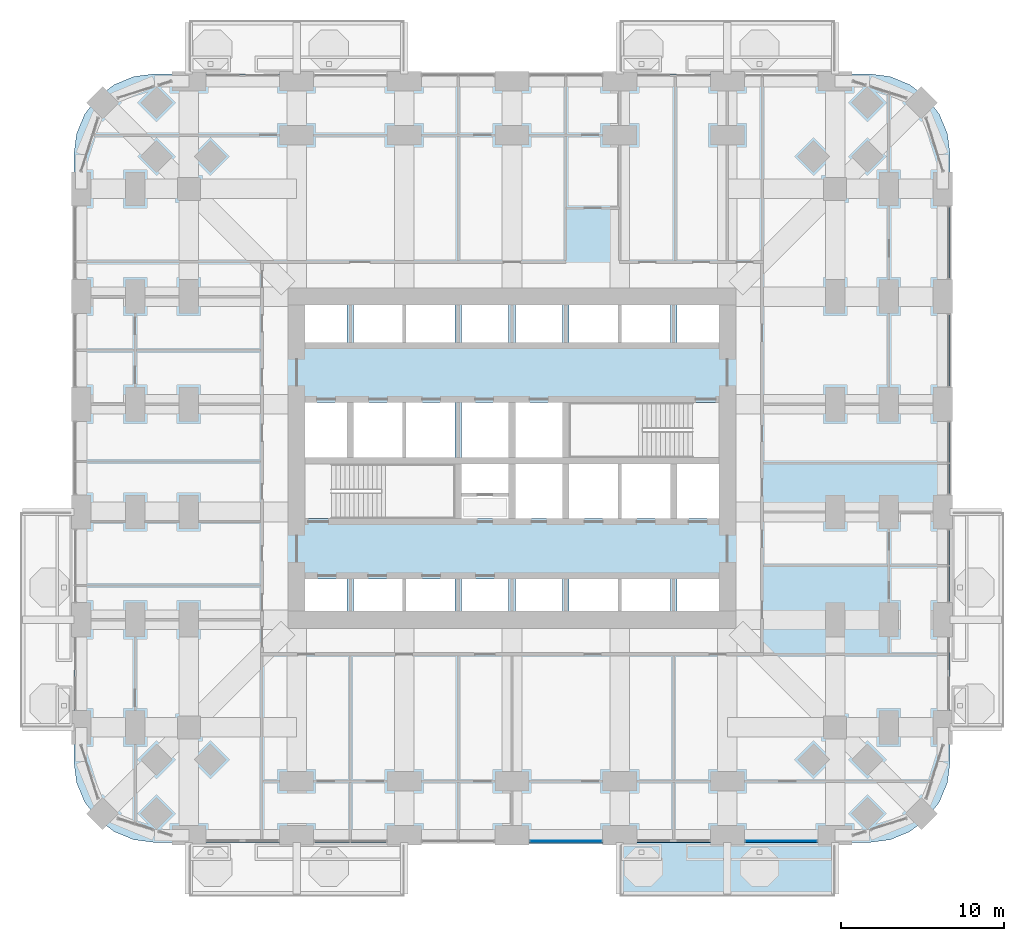
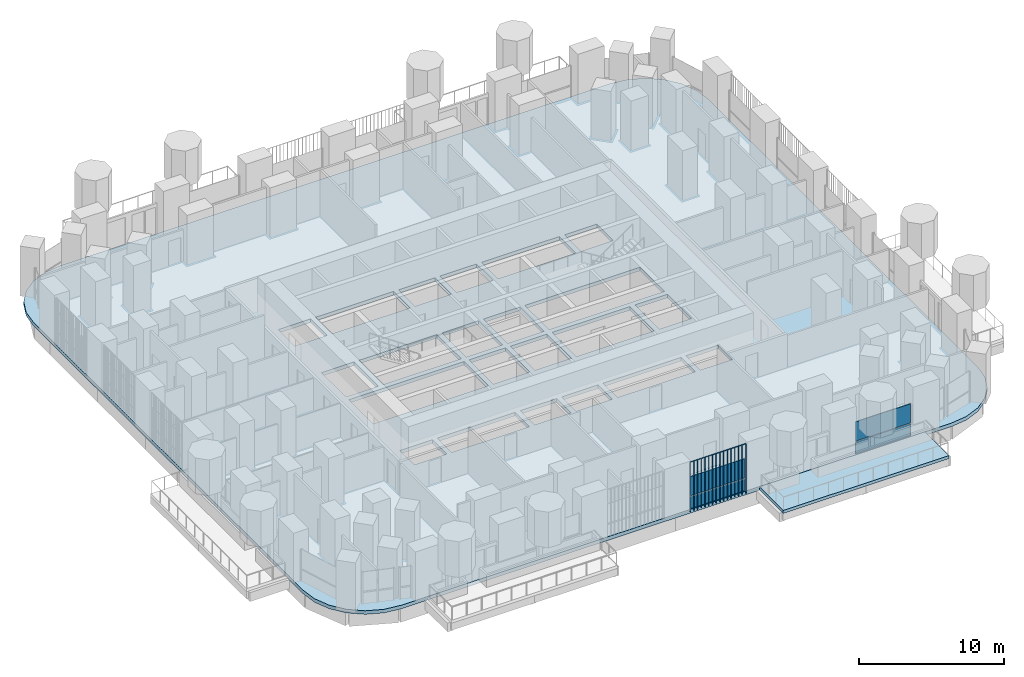
# One storey, part 13 of 27: 5 plates, 2 slabs, 2 elements without a shape of their own.
"""IFC4 building model written with IfcOpenShell, lengths in metres."""

from ifc_helpers import new_model, si_unit, direction, frame, origin, origin_2d, place, context, subcontext, project, spatial, polyline, rectangle, outline, extrude, material, layer, layer_set, type_object, element, aggregate, save


model = new_model("IFC4")

# Units and contexts
model_context = context("Model", 3, precision=1e-05, world=origin(), true_north=direction((0.0, 1.0)))
body_context = subcontext(model_context, "Body", "Model", "MODEL_VIEW")
ifc_project = project(units=[si_unit("LENGTHUNIT", "METRE"), si_unit("AREAUNIT", "SQUARE_METRE"), si_unit("VOLUMEUNIT", "CUBIC_METRE"), si_unit("PLANEANGLEUNIT", "RADIAN"), si_unit("MASSUNIT", "GRAM", prefix="KILO")], contexts=[model_context])

# Site, building, storey
site_placement = place(None, origin())
site = spatial("IfcSite", under=ifc_project, at=site_placement, CompositionType="ELEMENT")
building_placement = place(site_placement, origin())
building = spatial("IfcBuilding", under=site, at=building_placement, Name="Cobogo Forest Laboratory Tower", CompositionType="ELEMENT")
storey_placement = place(building_placement, frame((0.0, 0.0, 38.10009765625)))
storey = spatial("IfcBuildingStorey", under=building, at=storey_placement, Name="L08", CompositionType="ELEMENT", Elevation=38.10009765625)

# Slabs
ifc_material_1 = material(Name="Concrete HA-40 (C40/50)", Category="concrete")
ifc_layer_1 = layer(ifc_material_1, 0.25)
ifc_layer_set_1 = layer_set([ifc_layer_1], Name="Balcony slab 250")
slab_type_1 = type_object("IfcSlabType", Name="Balcony slab 250", PredefinedType="FLOOR", material=ifc_layer_set_1)
slab_1_placement = place(storey_placement, frame((0.0, 0.0, -0.25)))
element("IfcSlab", 1, at=slab_1_placement, inside=storey, type_object=slab_type_1, Name="Balcony BAL-S2 L08", PredefinedType="FLOOR", context=body_context, shape_type="SweptSolid", body=[
    extrude(outline(polyline([(33.0, -3.75), (46.199951171875, -3.75), (46.199951171875, -0.449951171875), (33.0, -0.449951171875), (33.0, -3.75)])), origin(), (0.0, 0.0, 1.0), 0.25),
])
ifc_layer_2 = layer(ifc_material_1, 0.300048828125)
ifc_layer_set_2 = layer_set([ifc_layer_2], Name="Floor slab 300")
slab_type_2 = type_object("IfcSlabType", Name="Floor slab 300", PredefinedType="FLOOR", material=ifc_layer_set_2)
slab_2_placement = place(storey_placement, frame((0.0, 0.0, -0.300048828125)))
element("IfcSlab", 2, at=slab_2_placement, inside=storey, type_object=slab_type_2, Name="L08 floor slab", PredefinedType="FLOOR", context=body_context, shape_type="SweptSolid", body=[
    extrude(outline(polyline([(48.300048828125, -0.449951171875), (49.5810546875, -0.28125), (50.77490234375, 0.213134765625), (51.80029296875, 0.999755859375), (52.5869140625, 2.02490234375), (53.081298828125, 3.21875), (53.25, 4.5), (53.25, 41.699951171875), (53.081298828125, 42.981201171875), (52.5869140625, 44.175048828125), (51.80029296875, 45.2001953125), (50.77490234375, 45.98681640625), (49.5810546875, 46.4814453125), (48.300048828125, 46.64990234375), (4.5, 46.64990234375), (3.21875, 46.4814453125), (2.02490234375, 45.98681640625), (0.999755859375, 45.2001953125), (0.213134765625, 44.175048828125), (-0.28125, 42.981201171875), (-0.449951171875, 41.699951171875), (-0.449951171875, 4.5), (-0.28125, 3.21875), (0.213134765625, 2.02490234375), (0.999755859375, 0.999755859375), (2.02490234375, 0.213134765625), (3.21875, -0.28125), (4.5, -0.449951171875), (48.300048828125, -0.449951171875)]), holes=[polyline([(16.300048828125, 13.72509765625), (13.72509765625, 13.72509765625), (13.72509765625, 15.699951171875), (16.300048828125, 15.699951171875), (16.300048828125, 13.72509765625)]), polyline([(22.89990234375, 15.699951171875), (22.89990234375, 13.72509765625), (16.699951171875, 13.72509765625), (16.699951171875, 15.699951171875), (22.89990234375, 15.699951171875)]), polyline([(23.300048828125, 13.72509765625), (23.300048828125, 15.699951171875), (26.199951171875, 15.699951171875), (26.199951171875, 13.72509765625), (23.300048828125, 13.72509765625)]), polyline([(29.5, 13.72509765625), (26.60009765625, 13.72509765625), (26.60009765625, 15.699951171875), (29.5, 15.699951171875), (29.5, 13.72509765625)]), polyline([(36.10009765625, 15.699951171875), (36.10009765625, 13.72509765625), (29.89990234375, 13.72509765625), (29.89990234375, 15.699951171875), (36.10009765625, 15.699951171875)]), polyline([(36.5, 13.72509765625), (36.5, 15.699951171875), (39.074951171875, 15.699951171875), (39.074951171875, 13.72509765625), (36.5, 13.72509765625)]), polyline([(13.72509765625, 19.39990234375), (13.72509765625, 22.75), (22.89990234375, 22.75), (22.89990234375, 19.39990234375), (13.72509765625, 19.39990234375)]), polyline([(23.300048828125, 19.39990234375), (23.300048828125, 22.75), (26.199951171875, 22.75), (26.199951171875, 19.39990234375), (23.300048828125, 19.39990234375)]), polyline([(26.60009765625, 19.39990234375), (26.60009765625, 22.75), (29.5, 22.75), (29.5, 19.39990234375), (26.60009765625, 19.39990234375)]), polyline([(36.10009765625, 22.75), (36.10009765625, 19.39990234375), (29.89990234375, 19.39990234375), (29.89990234375, 22.75), (36.10009765625, 22.75)]), polyline([(39.074951171875, 19.39990234375), (36.5, 19.39990234375), (36.5, 22.75), (39.074951171875, 22.75), (39.074951171875, 19.39990234375)]), polyline([(13.72509765625, 23.14990234375), (13.72509765625, 26.5), (16.300048828125, 26.5), (16.300048828125, 23.14990234375), (13.72509765625, 23.14990234375)]), polyline([(22.89990234375, 26.5), (22.89990234375, 23.14990234375), (16.699951171875, 23.14990234375), (16.699951171875, 26.5), (22.89990234375, 26.5)]), polyline([(23.300048828125, 23.14990234375), (23.300048828125, 26.5), (26.199951171875, 26.5), (26.199951171875, 23.14990234375), (23.300048828125, 23.14990234375)]), polyline([(26.60009765625, 23.14990234375), (26.60009765625, 26.5), (29.5, 26.5), (29.5, 23.14990234375), (26.60009765625, 23.14990234375)]), polyline([(29.89990234375, 23.14990234375), (29.89990234375, 26.5), (39.074951171875, 26.5), (39.074951171875, 23.14990234375), (29.89990234375, 23.14990234375)]), polyline([(13.72509765625, 30.199951171875), (13.72509765625, 32.47509765625), (16.300048828125, 32.47509765625), (16.300048828125, 30.199951171875), (13.72509765625, 30.199951171875)]), polyline([(22.89990234375, 32.47509765625), (22.89990234375, 30.199951171875), (16.699951171875, 30.199951171875), (16.699951171875, 32.47509765625), (22.89990234375, 32.47509765625)]), polyline([(23.300048828125, 30.199951171875), (23.300048828125, 32.47509765625), (26.199951171875, 32.47509765625), (26.199951171875, 30.199951171875), (23.300048828125, 30.199951171875)]), polyline([(26.60009765625, 30.199951171875), (26.60009765625, 32.47509765625), (29.5, 32.47509765625), (29.5, 30.199951171875), (26.60009765625, 30.199951171875)]), polyline([(36.10009765625, 32.47509765625), (36.10009765625, 30.199951171875), (29.89990234375, 30.199951171875), (29.89990234375, 32.47509765625), (36.10009765625, 32.47509765625)]), polyline([(36.5, 30.199951171875), (36.5, 32.47509765625), (39.074951171875, 32.47509765625), (39.074951171875, 30.199951171875), (36.5, 30.199951171875)])]), origin(), (0.0, 0.0, 1.0), 0.300048828125),
])

# Curtain wall, plates
ifc_material_2 = material(Name="Aluminium curtain wall", Category="aluminium")
curtain_wall_type = type_object("IfcCurtainWallType", Name="CW-1 unitised curtain wall, clear glazing, laboratory floors zones A and B", PredefinedType="USERDEFINED", material=ifc_material_2)
curtain_wall_1_placement = place(storey_placement, origin())
curtain_wall_1 = element("IfcCurtainWall", 3, at=curtain_wall_1_placement, inside=storey, type_object=curtain_wall_type, Name="Curtain wall 04 L08", ObjectType="UNITISED CURTAIN WALL", PredefinedType="USERDEFINED")
ifc_material_3 = material(Name="Clear insulated glass", Category="glass")
ifc_layer_3 = layer(ifc_material_3, 0.028076171875)
ifc_layer_set_3 = layer_set([ifc_layer_3], Name="GP-1 clear insulated glass unit 28")
plate_type_1 = type_object("IfcPlateType", Name="GP-1 clear insulated glass unit 28", PredefinedType="CURTAIN_PANEL", material=ifc_layer_set_3)
plate_1_placement = place(storey_placement, frame((29.699951171875, -0.35009765625, 0.0), z_axis=(0.0, 0.0, 1.0), x_axis=(1.0, 0.0, 0.0)))
plate_1 = element("IfcPlate", 4, at=plate_1_placement, type_object=plate_type_1, Name="CW-1 panel 1.1", PredefinedType="CURTAIN_PANEL", context=body_context, shape_type="SweptSolid", body=[
    extrude(rectangle(XDim=4.3798828125, YDim=0.028076171875, at=origin_2d()), origin(), (0.0, 0.0, 1.0), 1.02001953125),
])
plate_2_placement = place(storey_placement, frame((29.699951171875, -0.35009765625, 1.079833984375), z_axis=(0.0, 0.0, 1.0), x_axis=(1.0, 0.0, 0.0)))
plate_2 = element("IfcPlate", 5, at=plate_2_placement, type_object=plate_type_1, Name="CW-1 panel 1.2", PredefinedType="CURTAIN_PANEL", context=body_context, shape_type="SweptSolid", body=[
    extrude(rectangle(XDim=4.3798828125, YDim=0.028076171875, at=origin_2d()), origin(), (0.0, 0.0, 1.0), 1.6201171875),
])
aggregate(curtain_wall_1, [plate_1, plate_2])

curtain_wall_2_placement = place(storey_placement, origin())
curtain_wall_2 = element("IfcCurtainWall", 6, at=curtain_wall_2_placement, inside=storey, type_object=curtain_wall_type, Name="Curtain wall 06 L08", ObjectType="UNITISED CURTAIN WALL", PredefinedType="USERDEFINED")
plate_3_placement = place(storey_placement, frame((42.89990234375, -0.35009765625, 0.0), z_axis=(0.0, 0.0, 1.0), x_axis=(1.0, 0.0, 0.0)))
plate_3 = element("IfcPlate", 7, at=plate_3_placement, type_object=plate_type_1, Name="CW-1 panel 1.1", PredefinedType="CURTAIN_PANEL", context=body_context, shape_type="SweptSolid", body=[
    extrude(rectangle(XDim=4.3798828125, YDim=0.028076171875, at=origin_2d()), origin(), (0.0, 0.0, 1.0), 1.02001953125),
])
plate_4_placement = place(storey_placement, frame((42.89990234375, -0.35009765625, 1.079833984375), z_axis=(0.0, 0.0, 1.0), x_axis=(1.0, 0.0, 0.0)))
plate_4 = element("IfcPlate", 8, at=plate_4_placement, type_object=plate_type_1, Name="CW-1 panel 1.2", PredefinedType="CURTAIN_PANEL", context=body_context, shape_type="SweptSolid", body=[
    extrude(rectangle(XDim=4.3798828125, YDim=0.028076171875, at=origin_2d()), origin(), (0.0, 0.0, 1.0), 1.6201171875),
])
aggregate(curtain_wall_2, [plate_3, plate_4])

# Plate
ifc_material_4 = material(Name="Terracotta", Category="masonry")
plate_type_2 = type_object("IfcPlateType", Name="TB1 terracotta baguette screen", PredefinedType="USERDEFINED", material=ifc_material_4)
plate_5_placement = place(storey_placement, frame((27.481201171875, -0.477783203125, -0.150146484375)))
element("IfcPlate", 9, at=plate_5_placement, inside=storey, type_object=plate_type_2, Name="Baguette screen S4 L08", ObjectType="BAGUETTE SCREEN", PredefinedType="USERDEFINED", context=body_context, shape_type="SweptSolid", body=[
    extrude(outline(polyline([(0.02880859375, 0.011962890625), (0.011962890625, 0.02880859375), (-0.011962890625, 0.02880859375), (-0.02880859375, 0.011962890625), (-0.02880859375, -0.011962890625), (-0.011962890625, -0.02880859375), (0.011962890625, -0.02880859375), (0.02880859375, -0.011962890625), (0.02880859375, 0.011962890625)])), frame((0.0, 0.0, 4.168701171875), z_axis=(1.0, 0.0, 0.0), x_axis=(0.0, 1.0, 0.0)), (0.0, 0.0, 1.0), 4.4375),
    extrude(outline(polyline([(0.02880859375, 0.011962890625), (0.011962890625, 0.02880859375), (-0.011962890625, 0.02880859375), (-0.02880859375, 0.011962890625), (-0.02880859375, -0.011962890625), (-0.011962890625, -0.02880859375), (0.011962890625, -0.02880859375), (0.02880859375, -0.011962890625), (0.02880859375, 0.011962890625)])), origin(), (0.0, 0.0, 1.0), 4.137451171875),
    extrude(outline(polyline([(0.02880859375, 0.011962890625), (0.011962890625, 0.02880859375), (-0.011962890625, 0.02880859375), (-0.02880859375, 0.011962890625), (-0.02880859375, -0.011962890625), (-0.011962890625, -0.02880859375), (0.011962890625, -0.02880859375), (0.02880859375, -0.011962890625), (0.02880859375, 0.011962890625)])), frame((0.2958984375, 0.0, 0.0)), (0.0, 0.0, 1.0), 4.137451171875),
    extrude(outline(polyline([(0.02880859375, 0.011962890625), (0.011962890625, 0.02880859375), (-0.011962890625, 0.02880859375), (-0.02880859375, 0.011962890625), (-0.02880859375, -0.011962890625), (-0.011962890625, -0.02880859375), (0.011962890625, -0.02880859375), (0.02880859375, -0.011962890625), (0.02880859375, 0.011962890625)])), frame((0.591552734375, 0.0, 0.0)), (0.0, 0.0, 1.0), 4.137451171875),
    extrude(outline(polyline([(0.02880859375, 0.011962890625), (0.011962890625, 0.02880859375), (-0.011962890625, 0.02880859375), (-0.02880859375, 0.011962890625), (-0.02880859375, -0.011962890625), (-0.011962890625, -0.02880859375), (0.011962890625, -0.02880859375), (0.02880859375, -0.011962890625), (0.02880859375, 0.011962890625)])), frame((0.887451171875, 0.0, 0.0)), (0.0, 0.0, 1.0), 4.137451171875),
    extrude(outline(polyline([(0.02880859375, 0.011962890625), (0.011962890625, 0.02880859375), (-0.011962890625, 0.02880859375), (-0.02880859375, 0.011962890625), (-0.02880859375, -0.011962890625), (-0.011962890625, -0.02880859375), (0.011962890625, -0.02880859375), (0.02880859375, -0.011962890625), (0.02880859375, 0.011962890625)])), frame((1.183349609375, 0.0, 0.0)), (0.0, 0.0, 1.0), 4.137451171875),
    extrude(outline(polyline([(0.02880859375, 0.011962890625), (0.011962890625, 0.02880859375), (-0.011962890625, 0.02880859375), (-0.02880859375, 0.011962890625), (-0.02880859375, -0.011962890625), (-0.011962890625, -0.02880859375), (0.011962890625, -0.02880859375), (0.02880859375, -0.011962890625), (0.02880859375, 0.011962890625)])), frame((1.479248046875, 0.0, 0.0)), (0.0, 0.0, 1.0), 4.137451171875),
    extrude(outline(polyline([(0.02880859375, 0.011962890625), (0.011962890625, 0.02880859375), (-0.011962890625, 0.02880859375), (-0.02880859375, 0.011962890625), (-0.02880859375, -0.011962890625), (-0.011962890625, -0.02880859375), (0.011962890625, -0.02880859375), (0.02880859375, -0.011962890625), (0.02880859375, 0.011962890625)])), frame((1.77490234375, 0.0, 0.0)), (0.0, 0.0, 1.0), 4.137451171875),
    extrude(outline(polyline([(0.02880859375, 0.011962890625), (0.011962890625, 0.02880859375), (-0.011962890625, 0.02880859375), (-0.02880859375, 0.011962890625), (-0.02880859375, -0.011962890625), (-0.011962890625, -0.02880859375), (0.011962890625, -0.02880859375), (0.02880859375, -0.011962890625), (0.02880859375, 0.011962890625)])), frame((2.07080078125, 0.0, 0.0)), (0.0, 0.0, 1.0), 4.137451171875),
    extrude(outline(polyline([(0.02880859375, 0.011962890625), (0.011962890625, 0.02880859375), (-0.011962890625, 0.02880859375), (-0.02880859375, 0.011962890625), (-0.02880859375, -0.011962890625), (-0.011962890625, -0.02880859375), (0.011962890625, -0.02880859375), (0.02880859375, -0.011962890625), (0.02880859375, 0.011962890625)])), frame((2.36669921875, 0.0, 0.0)), (0.0, 0.0, 1.0), 4.137451171875),
    extrude(outline(polyline([(0.02880859375, 0.011962890625), (0.011962890625, 0.02880859375), (-0.011962890625, 0.02880859375), (-0.02880859375, 0.011962890625), (-0.02880859375, -0.011962890625), (-0.011962890625, -0.02880859375), (0.011962890625, -0.02880859375), (0.02880859375, -0.011962890625), (0.02880859375, 0.011962890625)])), frame((2.66259765625, 0.0, 0.0)), (0.0, 0.0, 1.0), 4.137451171875),
    extrude(outline(polyline([(0.02880859375, 0.011962890625), (0.011962890625, 0.02880859375), (-0.011962890625, 0.02880859375), (-0.02880859375, 0.011962890625), (-0.02880859375, -0.011962890625), (-0.011962890625, -0.02880859375), (0.011962890625, -0.02880859375), (0.02880859375, -0.011962890625), (0.02880859375, 0.011962890625)])), frame((2.958251953125, 0.0, 0.0)), (0.0, 0.0, 1.0), 4.137451171875),
    extrude(outline(polyline([(0.02880859375, 0.011962890625), (0.011962890625, 0.02880859375), (-0.011962890625, 0.02880859375), (-0.02880859375, 0.011962890625), (-0.02880859375, -0.011962890625), (-0.011962890625, -0.02880859375), (0.011962890625, -0.02880859375), (0.02880859375, -0.011962890625), (0.02880859375, 0.011962890625)])), frame((3.254150390625, 0.0, 0.0)), (0.0, 0.0, 1.0), 4.137451171875),
    extrude(outline(polyline([(0.02880859375, 0.011962890625), (0.011962890625, 0.02880859375), (-0.011962890625, 0.02880859375), (-0.02880859375, 0.011962890625), (-0.02880859375, -0.011962890625), (-0.011962890625, -0.02880859375), (0.011962890625, -0.02880859375), (0.02880859375, -0.011962890625), (0.02880859375, 0.011962890625)])), frame((3.550048828125, 0.0, 0.0)), (0.0, 0.0, 1.0), 4.137451171875),
    extrude(outline(polyline([(0.02880859375, 0.011962890625), (0.011962890625, 0.02880859375), (-0.011962890625, 0.02880859375), (-0.02880859375, 0.011962890625), (-0.02880859375, -0.011962890625), (-0.011962890625, -0.02880859375), (0.011962890625, -0.02880859375), (0.02880859375, -0.011962890625), (0.02880859375, 0.011962890625)])), frame((3.845947265625, 0.0, 0.0)), (0.0, 0.0, 1.0), 4.137451171875),
    extrude(outline(polyline([(0.02880859375, 0.011962890625), (0.011962890625, 0.02880859375), (-0.011962890625, 0.02880859375), (-0.02880859375, 0.011962890625), (-0.02880859375, -0.011962890625), (-0.011962890625, -0.02880859375), (0.011962890625, -0.02880859375), (0.02880859375, -0.011962890625), (0.02880859375, 0.011962890625)])), frame((4.1416015625, 0.0, 0.0)), (0.0, 0.0, 1.0), 4.137451171875),
    extrude(outline(polyline([(0.02880859375, 0.011962890625), (0.011962890625, 0.02880859375), (-0.011962890625, 0.02880859375), (-0.02880859375, 0.011962890625), (-0.02880859375, -0.011962890625), (-0.011962890625, -0.02880859375), (0.011962890625, -0.02880859375), (0.02880859375, -0.011962890625), (0.02880859375, 0.011962890625)])), frame((4.4375, 0.0, 0.0)), (0.0, 0.0, 1.0), 4.137451171875),
])

save(model, "model.ifc")
